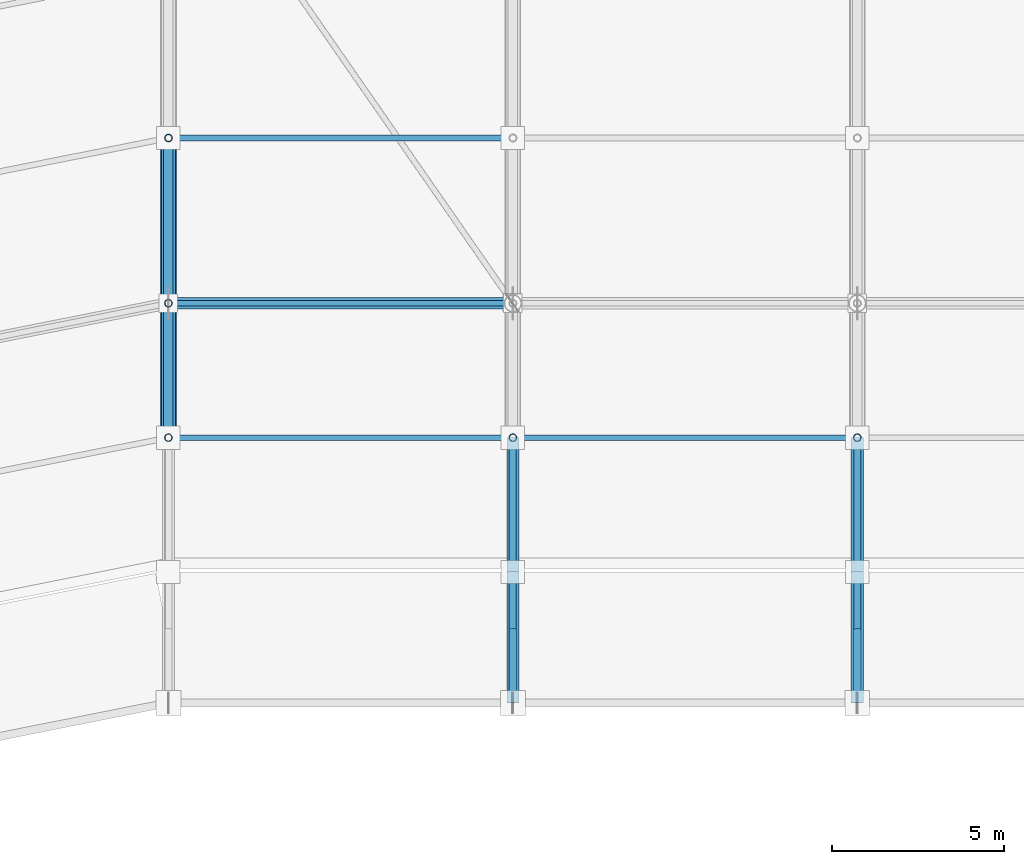
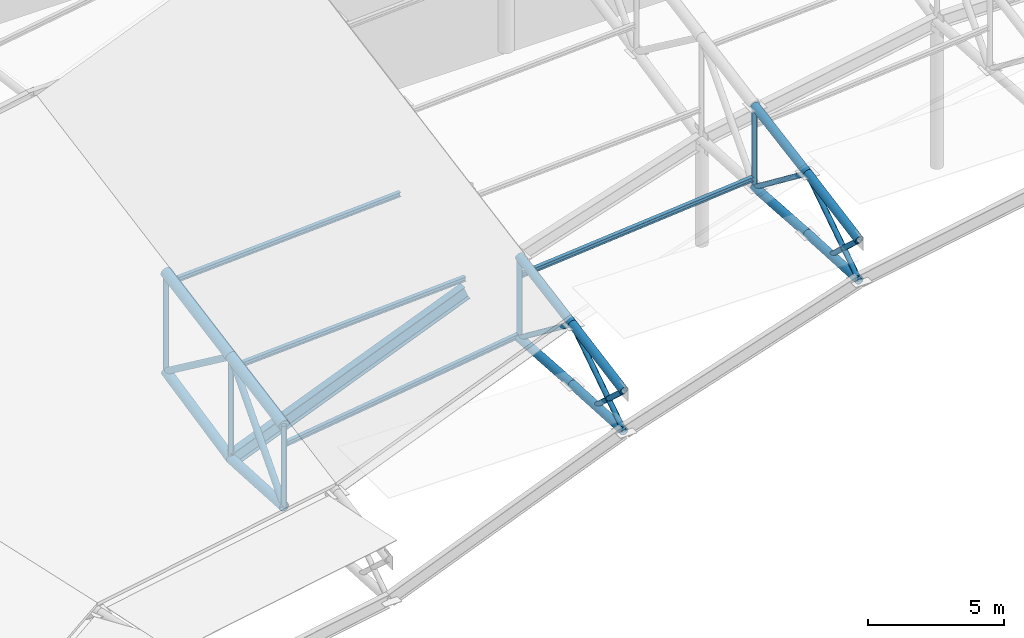
# One storey, part 54 of 146: 29 members, 1 beam.
"""IFC4 building model written with IfcOpenShell, lengths in metres."""

from ifc_helpers import new_model, si_unit, direction, frame, origin, origin_2d, place, context, subcontext, project, spatial, hollow_circle, i_section, extrude, material, material_profile, profile_set, type_object, element, save


model = new_model("IFC4")

# Units and contexts
model_context = context("Model", 3, precision=1e-05, world=origin(), true_north=direction((0.0, 1.0)))
body_context = subcontext(model_context, "Body", "Model", "MODEL_VIEW")
ifc_project = project(units=[si_unit("LENGTHUNIT", "METRE"), si_unit("AREAUNIT", "SQUARE_METRE"), si_unit("VOLUMEUNIT", "CUBIC_METRE"), si_unit("PLANEANGLEUNIT", "RADIAN"), si_unit("MASSUNIT", "GRAM", prefix="KILO")], contexts=[model_context])

# Site, building, storey
site_placement = place(None, origin())
site = spatial("IfcSite", under=ifc_project, at=site_placement, CompositionType="ELEMENT")
building_placement = place(site_placement, origin())
building = spatial("IfcBuilding", under=site, at=building_placement, Name="Candeia Ridge Stadium", CompositionType="ELEMENT")
storey_placement = place(building_placement, frame((0.0, 0.0, 31.800048828125)))
storey = spatial("IfcBuildingStorey", under=building, at=storey_placement, Name="RF", CompositionType="ELEMENT", Elevation=31.800048828125)

# Beam
ifc_material = material(Name="Steel ASTM A572 Grade 50", Category="steel")
ifc_material_profile_1 = material_profile(ifc_material, i_section(OverallWidth=0.324951171875, OverallDepth=0.615966796875, WebThickness=0.013916015625, FlangeThickness=0.021484375, FilletRadius=0.014892578125, at=origin_2d()), Name="W610x174", Category="steel")
ifc_profile_set_1 = profile_set([ifc_material_profile_1], Name="Steel ASTM A572 Grade 50")
beam_type = type_object("IfcBeamType", Name="Roof Compression Ring Beam W610x174", PredefinedType="BEAM", material=ifc_profile_set_1)
beam_placement = place(storey_placement, frame((80.962890625, 132.60009765625, 1.3994140625), z_axis=(-0.925945510704, 0.0, -0.377657134457), x_axis=(0.0, -1.0, 0.0)))
element("IfcBeam", 1, at=beam_placement, inside=storey, type_object=beam_type, Name="Roof compression ring beam bay 07", PredefinedType="BEAM", context=body_context, shape_type="SweptSolid", body=[
    extrude(i_section(OverallWidth=0.324951171875, OverallDepth=0.615966796875, WebThickness=0.013916015625, FlangeThickness=0.021484375, FilletRadius=0.014892578125, at=origin_2d()), origin(), (0.0, 0.0, 1.0), 10.7197265625),
])

# Members
ifc_material_profile_2 = material_profile(ifc_material, i_section(OverallWidth=0.1650390625, OverallDepth=0.200927734375, WebThickness=0.006103515625, FlangeThickness=0.01025390625, FilletRadius=0.010009765625, at=origin_2d()), Name="W200x35.9", Category="steel")
ifc_profile_set_2 = profile_set([ifc_material_profile_2], Name="Steel ASTM A572 Grade 50")
member_type_1 = type_object("IfcMemberType", Name="Roof Purlin W200x35.9", PredefinedType="PURLIN", material=ifc_profile_set_2)
member_1_placement = place(storey_placement, frame((90.9501953125, 128.699951171875, 5.328369140625), z_axis=(-0.995975929729, 0.0, -0.08962113256), x_axis=(0.0, -1.0, 0.0)))
element("IfcMember", 2, at=member_1_placement, inside=storey, type_object=member_type_1, Name="Saddle roof steel purlin bay 06-1", PredefinedType="PURLIN", context=body_context, shape_type="SweptSolid", body=[
    extrude(i_section(OverallWidth=0.1650390625, OverallDepth=0.200927734375, WebThickness=0.006103515625, FlangeThickness=0.01025390625, FilletRadius=0.010009765625, at=origin_2d()), origin(), (0.0, 0.0, 1.0), 9.9404296875),
])
member_2_placement = place(storey_placement, frame((80.950439453125, 128.699951171875, 1.767333984375), z_axis=(-0.990070222355, 0.0, -0.140573663272), x_axis=(0.0, -1.0, 0.0)))
element("IfcMember", 3, at=member_2_placement, inside=storey, type_object=member_type_1, Name="Saddle roof steel purlin bay 07-1", PredefinedType="PURLIN", context=body_context, shape_type="SweptSolid", body=[
    extrude(i_section(OverallWidth=0.1650390625, OverallDepth=0.200927734375, WebThickness=0.006103515625, FlangeThickness=0.01025390625, FilletRadius=0.010009765625, at=origin_2d()), origin(), (0.0, 0.0, 1.0), 10.000244140625),
])
for number, where, z_axis, x_axis, name in (
    (4, (80.9501953125, 132.60009765625, 1.97314453125), (-0.998435557369, 0.0, -0.055914557871), (0.0, -1.0, 0.0), "Saddle roof steel purlin bay 07-2"),
    (5, (80.9501953125, 137.39990234375, 2.861083984375), (-0.998435557369, 0.0, -0.055914557871), (0.0, -1.0, 0.0), "Saddle roof steel purlin bay 07-3"),
):
    element("IfcMember", number, at=place(storey_placement, frame(where, z_axis=z_axis, x_axis=x_axis)), inside=storey, type_object=member_type_1, Name=name, PredefinedType="PURLIN", context=body_context, shape_type="SweptSolid", body=[
        extrude(i_section(OverallWidth=0.1650390625, OverallDepth=0.200927734375, WebThickness=0.006103515625, FlangeThickness=0.01025390625, FilletRadius=0.010009765625, at=origin_2d()), origin(), (0.0, 0.0, 1.0), 9.916015625),
    ])
ifc_material_profile_3 = material_profile(ifc_material, hollow_circle(Radius=0.136474609375, WallThickness=0.010009765625, at=origin_2d()), Name="CHS273x10", Category="steel")
ifc_profile_set_3 = profile_set([ifc_material_profile_3], Name="Steel ASTM A572 Grade 50")
member_type_2 = type_object("IfcMemberType", Name="Roof Truss Heavy Web Brace CHS273x10", PredefinedType="BRACE", material=ifc_profile_set_3)
member_3_placement = place(storey_placement, frame((71.0, 128.699951171875, -2.444091796875), z_axis=(0.0, 0.665001791652, 0.746841761754), x_axis=(-1.0, 0.0, 0.0)))
element("IfcMember", 6, at=member_3_placement, inside=storey, type_object=member_type_2, Name="Roof cantilever truss RT-08 diagonal web 3", PredefinedType="BRACE", context=body_context, shape_type="SweptSolid", body=[
    extrude(hollow_circle(Radius=0.136474609375, WallThickness=0.010009765625, at=origin_2d()), origin(), (0.0, 0.0, 1.0), 5.86474609375),
])
member_4_placement = place(storey_placement, frame((71.0, 132.60009765625, 1.93603515625), z_axis=(0.0, 0.801680135344, -0.597753260631), x_axis=(-1.0, 0.0, 0.0)))
element("IfcMember", 7, at=member_4_placement, inside=storey, type_object=member_type_2, Name="Roof cantilever truss RT-08 diagonal web 4", PredefinedType="BRACE", context=body_context, shape_type="SweptSolid", body=[
    extrude(hollow_circle(Radius=0.136474609375, WallThickness=0.010009765625, at=origin_2d()), origin(), (0.0, 0.0, 1.0), 5.987060546875),
])
ifc_material_profile_4 = material_profile(ifc_material, hollow_circle(Radius=0.109619140625, WallThickness=0.010009765625, at=origin_2d()), Name="CHS219x10", Category="steel")
ifc_profile_set_4 = profile_set([ifc_material_profile_4], Name="Steel ASTM A572 Grade 50")
member_type_3 = type_object("IfcMemberType", Name="Roof Truss Inner Web Brace CHS219x10", PredefinedType="BRACE", material=ifc_profile_set_4)
member_5_placement = place(storey_placement, frame((91.0, 121.0, 5.38916015625), z_axis=(0.0, 0.835124576935, 0.550060852087), x_axis=(-1.0, 0.0, 0.0)))
element("IfcMember", 8, at=member_5_placement, inside=storey, type_object=member_type_3, Name="Roof cantilever truss RT-06 diagonal web 1", PredefinedType="BRACE", context=body_context, shape_type="SweptSolid", body=[
    extrude(hollow_circle(Radius=0.109619140625, WallThickness=0.010009765625, at=origin_2d()), origin(), (0.0, 0.0, 1.0), 4.55029296875),
])
member_6_placement = place(storey_placement, frame((91.0, 124.800048828125, 7.89208984375), z_axis=(0.0, 0.793887844601, -0.608064215519), x_axis=(-1.0, 0.0, 0.0)))
element("IfcMember", 9, at=member_6_placement, inside=storey, type_object=member_type_3, Name="Roof cantilever truss RT-06 diagonal web 2", PredefinedType="BRACE", context=body_context, shape_type="SweptSolid", body=[
    extrude(hollow_circle(Radius=0.109619140625, WallThickness=0.010009765625, at=origin_2d()), origin(), (0.0, 0.0, 1.0), 4.912353515625),
])
member_7_placement = place(storey_placement, frame((91.0, 123.090087890625, 5.271240234375), z_axis=(0.0, -0.736793216186, 0.676118152827), x_axis=(1.0, 0.0, 0.0)))
element("IfcMember", 10, at=member_7_placement, inside=storey, type_object=member_type_3, Name="Roof cantilever truss RT-06 vertical post 0", PredefinedType="BRACE", context=body_context, shape_type="SweptSolid", body=[
    extrude(hollow_circle(Radius=0.109619140625, WallThickness=0.010009765625, at=origin_2d()), origin(), (0.0, 0.0, 1.0), 2.836669921875),
])
member_8_placement = place(storey_placement, frame((91.0, 128.699951171875, 4.905029296875), z_axis=(0.0, 0.0, 1.0), x_axis=(1.0, 0.0, 0.0)))
element("IfcMember", 11, at=member_8_placement, inside=storey, type_object=member_type_3, Name="Roof cantilever truss RT-06 vertical post 2", PredefinedType="BRACE", context=body_context, shape_type="SweptSolid", body=[
    extrude(hollow_circle(Radius=0.109619140625, WallThickness=0.010009765625, at=origin_2d()), origin(), (0.0, 0.0, 1.0), 3.65869140625),
])
member_9_placement = place(storey_placement, frame((81.0, 121.0, 2.118408203125), z_axis=(0.0, 0.835124576935, 0.550060852087), x_axis=(-1.0, 0.0, 0.0)))
element("IfcMember", 12, at=member_9_placement, inside=storey, type_object=member_type_3, Name="Roof cantilever truss RT-07 diagonal web 1", PredefinedType="BRACE", context=body_context, shape_type="SweptSolid", body=[
    extrude(hollow_circle(Radius=0.109619140625, WallThickness=0.010009765625, at=origin_2d()), origin(), (0.0, 0.0, 1.0), 4.55029296875),
])
member_10_placement = place(storey_placement, frame((81.0, 124.800048828125, 4.621337890625), z_axis=(0.0, 0.793887844601, -0.608064215519), x_axis=(-1.0, 0.0, 0.0)))
element("IfcMember", 13, at=member_10_placement, inside=storey, type_object=member_type_3, Name="Roof cantilever truss RT-07 diagonal web 2", PredefinedType="BRACE", context=body_context, shape_type="SweptSolid", body=[
    extrude(hollow_circle(Radius=0.109619140625, WallThickness=0.010009765625, at=origin_2d()), origin(), (0.0, 0.0, 1.0), 4.912353515625),
])
member_11_placement = place(storey_placement, frame((81.0, 123.090087890625, 2.000732421875), z_axis=(0.0, -0.736836090738, 0.676071427725), x_axis=(1.0, 0.0, 0.0)))
element("IfcMember", 14, at=member_11_placement, inside=storey, type_object=member_type_3, Name="Roof cantilever truss RT-07 vertical post 0", PredefinedType="BRACE", context=body_context, shape_type="SweptSolid", body=[
    extrude(hollow_circle(Radius=0.109619140625, WallThickness=0.010009765625, at=origin_2d()), origin(), (0.0, 0.0, 1.0), 2.836669921875),
])
member_12_placement = place(storey_placement, frame((81.0, 128.699951171875, 1.63427734375), z_axis=(0.0, 0.0, 1.0), x_axis=(1.0, 0.0, 0.0)))
element("IfcMember", 15, at=member_12_placement, inside=storey, type_object=member_type_3, Name="Roof cantilever truss RT-07 vertical post 2", PredefinedType="BRACE", context=body_context, shape_type="SweptSolid", body=[
    extrude(hollow_circle(Radius=0.109619140625, WallThickness=0.010009765625, at=origin_2d()), origin(), (0.0, 0.0, 1.0), 3.65869140625),
])
member_13_placement = place(storey_placement, frame((71.0, 128.699951171875, -2.444091796875), z_axis=(0.0, 0.0, 1.0), x_axis=(1.0, 0.0, 0.0)))
element("IfcMember", 16, at=member_13_placement, inside=storey, type_object=member_type_3, Name="Roof cantilever truss RT-08 vertical post 2", PredefinedType="BRACE", context=body_context, shape_type="SweptSolid", body=[
    extrude(hollow_circle(Radius=0.109619140625, WallThickness=0.010009765625, at=origin_2d()), origin(), (0.0, 0.0, 1.0), 3.658447265625),
])
member_14_placement = place(storey_placement, frame((71.0, 132.60009765625, -2.6640625), z_axis=(0.0, 0.0, 1.0), x_axis=(1.0, 0.0, 0.0)))
element("IfcMember", 17, at=member_14_placement, inside=storey, type_object=member_type_3, Name="Roof cantilever truss RT-08 vertical post 3", PredefinedType="BRACE", context=body_context, shape_type="SweptSolid", body=[
    extrude(hollow_circle(Radius=0.109619140625, WallThickness=0.010009765625, at=origin_2d()), origin(), (0.0, 0.0, 1.0), 4.60009765625),
])
member_15_placement = place(storey_placement, frame((71.0, 137.39990234375, -1.642822265625), z_axis=(0.0, 0.0, 1.0), x_axis=(1.0, 0.0, 0.0)))
element("IfcMember", 18, at=member_15_placement, inside=storey, type_object=member_type_3, Name="Roof cantilever truss RT-08 vertical post 4", PredefinedType="BRACE", context=body_context, shape_type="SweptSolid", body=[
    extrude(hollow_circle(Radius=0.109619140625, WallThickness=0.010009765625, at=origin_2d()), origin(), (0.0, 0.0, 1.0), 4.466796875),
])
ifc_material_profile_5 = material_profile(ifc_material, hollow_circle(Radius=0.228515625, WallThickness=0.02001953125, at=origin_2d()), Name="CHS457x20", Category="steel")
ifc_profile_set_5 = profile_set([ifc_material_profile_5], Name="Steel ASTM A572 Grade 50")
member_type_4 = type_object("IfcMemberType", Name="Roof Truss Main Chord CHS457x20", PredefinedType="CHORD", material=ifc_profile_set_5)
member_16_placement = place(storey_placement, frame((71.0, 128.699951171875, 1.21435546875), z_axis=(0.0, 0.983307710254, 0.181950396965), x_axis=(-1.0, 0.0, 0.0)))
element("IfcMember", 19, at=member_16_placement, inside=storey, type_object=member_type_4, Name="Roof cantilever truss RT-08 top chord 3", PredefinedType="CHORD", context=body_context, shape_type="SweptSolid", body=[
    extrude(hollow_circle(Radius=0.228515625, WallThickness=0.02001953125, at=origin_2d()), origin(), (0.0, 0.0, 1.0), 3.96630859375),
])
member_17_placement = place(storey_placement, frame((71.0, 132.60009765625, 1.93603515625), z_axis=(0.0, 0.983315487156, 0.181908363519), x_axis=(-1.0, 0.0, 0.0)))
element("IfcMember", 20, at=member_17_placement, inside=storey, type_object=member_type_4, Name="Roof cantilever truss RT-08 top chord 4", PredefinedType="CHORD", context=body_context, shape_type="SweptSolid", body=[
    extrude(hollow_circle(Radius=0.228515625, WallThickness=0.02001953125, at=origin_2d()), origin(), (0.0, 0.0, 1.0), 4.88134765625),
])
ifc_material_profile_6 = material_profile(ifc_material, hollow_circle(Radius=0.202880859375, WallThickness=0.01611328125, at=origin_2d()), Name="CHS406x16", Category="steel")
ifc_profile_set_6 = profile_set([ifc_material_profile_6], Name="Steel ASTM A572 Grade 50")
member_type_5 = type_object("IfcMemberType", Name="Roof Truss Outer Chord CHS406x16", PredefinedType="CHORD", material=ifc_profile_set_6)
member_18_placement = place(storey_placement, frame((71.0, 128.699951171875, -2.444091796875), z_axis=(0.0, 0.998413269272, -0.056311133372), x_axis=(-1.0, 0.0, 0.0)))
element("IfcMember", 21, at=member_18_placement, inside=storey, type_object=member_type_5, Name="Roof cantilever truss RT-08 bottom chord 3", PredefinedType="CHORD", context=body_context, shape_type="SweptSolid", body=[
    extrude(hollow_circle(Radius=0.202880859375, WallThickness=0.01611328125, at=origin_2d()), origin(), (0.0, 0.0, 1.0), 3.90625),
])
member_19_placement = place(storey_placement, frame((71.0, 132.60009765625, -2.6640625), z_axis=(0.0, 0.978105713519, 0.208108657154), x_axis=(-1.0, 0.0, 0.0)))
element("IfcMember", 22, at=member_19_placement, inside=storey, type_object=member_type_5, Name="Roof cantilever truss RT-08 bottom chord 4", PredefinedType="CHORD", context=body_context, shape_type="SweptSolid", body=[
    extrude(hollow_circle(Radius=0.202880859375, WallThickness=0.01611328125, at=origin_2d()), origin(), (0.0, 0.0, 1.0), 4.9072265625),
])
ifc_material_profile_7 = material_profile(ifc_material, hollow_circle(Radius=0.177734375, WallThickness=0.01416015625, at=origin_2d()), Name="CHS355x14", Category="steel")
ifc_profile_set_7 = profile_set([ifc_material_profile_7], Name="Steel ASTM A572 Grade 50")
member_type_6 = type_object("IfcMemberType", Name="Roof Truss Tip Chord CHS355x14", PredefinedType="CHORD", material=ifc_profile_set_7)
member_20_placement = place(storey_placement, frame((91.0, 121.0, 7.189208984375), z_axis=(0.0, 0.9833205248, 0.181881130157), x_axis=(-1.0, 0.0, 0.0)))
element("IfcMember", 23, at=member_20_placement, inside=storey, type_object=member_type_6, Name="Roof cantilever truss RT-06 top chord 1", PredefinedType="CHORD", context=body_context, shape_type="SweptSolid", body=[
    extrude(hollow_circle(Radius=0.177734375, WallThickness=0.01416015625, at=origin_2d()), origin(), (0.0, 0.0, 1.0), 3.864501953125),
])
member_21_placement = place(storey_placement, frame((91.0, 121.0, 5.38916015625), z_axis=(0.0, 0.998416425934, -0.05625513688), x_axis=(-1.0, 0.0, 0.0)))
element("IfcMember", 24, at=member_21_placement, inside=storey, type_object=member_type_6, Name="Roof cantilever truss RT-06 bottom chord 1", PredefinedType="CHORD", context=body_context, shape_type="SweptSolid", body=[
    extrude(hollow_circle(Radius=0.177734375, WallThickness=0.01416015625, at=origin_2d()), origin(), (0.0, 0.0, 1.0), 3.80615234375),
])
member_22_placement = place(storey_placement, frame((91.0, 124.800048828125, 7.89208984375), z_axis=(0.0, 0.985492511851, 0.169718911988), x_axis=(-1.0, 0.0, 0.0)))
element("IfcMember", 25, at=member_22_placement, inside=storey, type_object=member_type_6, Name="Roof cantilever truss RT-06 top chord 2", PredefinedType="CHORD", context=body_context, shape_type="SweptSolid", body=[
    extrude(hollow_circle(Radius=0.177734375, WallThickness=0.01416015625, at=origin_2d()), origin(), (0.0, 0.0, 1.0), 3.957275390625),
])
member_23_placement = place(storey_placement, frame((91.0, 124.800048828125, 5.175048828125), z_axis=(0.0, 0.997611667068, -0.069072148728), x_axis=(-1.0, 0.0, 0.0)))
element("IfcMember", 26, at=member_23_placement, inside=storey, type_object=member_type_6, Name="Roof cantilever truss RT-06 bottom chord 2", PredefinedType="CHORD", context=body_context, shape_type="SweptSolid", body=[
    extrude(hollow_circle(Radius=0.177734375, WallThickness=0.01416015625, at=origin_2d()), origin(), (0.0, 0.0, 1.0), 3.9091796875),
])
member_24_placement = place(storey_placement, frame((81.0, 121.0, 3.91845703125), z_axis=(0.0, 0.9833205248, 0.181881130157), x_axis=(-1.0, 0.0, 0.0)))
element("IfcMember", 27, at=member_24_placement, inside=storey, type_object=member_type_6, Name="Roof cantilever truss RT-07 top chord 1", PredefinedType="CHORD", context=body_context, shape_type="SweptSolid", body=[
    extrude(hollow_circle(Radius=0.177734375, WallThickness=0.01416015625, at=origin_2d()), origin(), (0.0, 0.0, 1.0), 3.864501953125),
])
member_25_placement = place(storey_placement, frame((81.0, 121.0, 2.118408203125), z_axis=(0.0, 0.998416425934, -0.05625513688), x_axis=(-1.0, 0.0, 0.0)))
element("IfcMember", 28, at=member_25_placement, inside=storey, type_object=member_type_6, Name="Roof cantilever truss RT-07 bottom chord 1", PredefinedType="CHORD", context=body_context, shape_type="SweptSolid", body=[
    extrude(hollow_circle(Radius=0.177734375, WallThickness=0.01416015625, at=origin_2d()), origin(), (0.0, 0.0, 1.0), 3.80615234375),
])
member_26_placement = place(storey_placement, frame((81.0, 124.800048828125, 4.621337890625), z_axis=(0.0, 0.985492511851, 0.169718911988), x_axis=(-1.0, 0.0, 0.0)))
element("IfcMember", 29, at=member_26_placement, inside=storey, type_object=member_type_6, Name="Roof cantilever truss RT-07 top chord 2", PredefinedType="CHORD", context=body_context, shape_type="SweptSolid", body=[
    extrude(hollow_circle(Radius=0.177734375, WallThickness=0.01416015625, at=origin_2d()), origin(), (0.0, 0.0, 1.0), 3.957275390625),
])
member_27_placement = place(storey_placement, frame((81.0, 124.800048828125, 1.904296875), z_axis=(0.0, 0.997611667068, -0.069072148728), x_axis=(-1.0, 0.0, 0.0)))
element("IfcMember", 30, at=member_27_placement, inside=storey, type_object=member_type_6, Name="Roof cantilever truss RT-07 bottom chord 2", PredefinedType="CHORD", context=body_context, shape_type="SweptSolid", body=[
    extrude(hollow_circle(Radius=0.177734375, WallThickness=0.01416015625, at=origin_2d()), origin(), (0.0, 0.0, 1.0), 3.9091796875),
])

save(model, "model.ifc")
